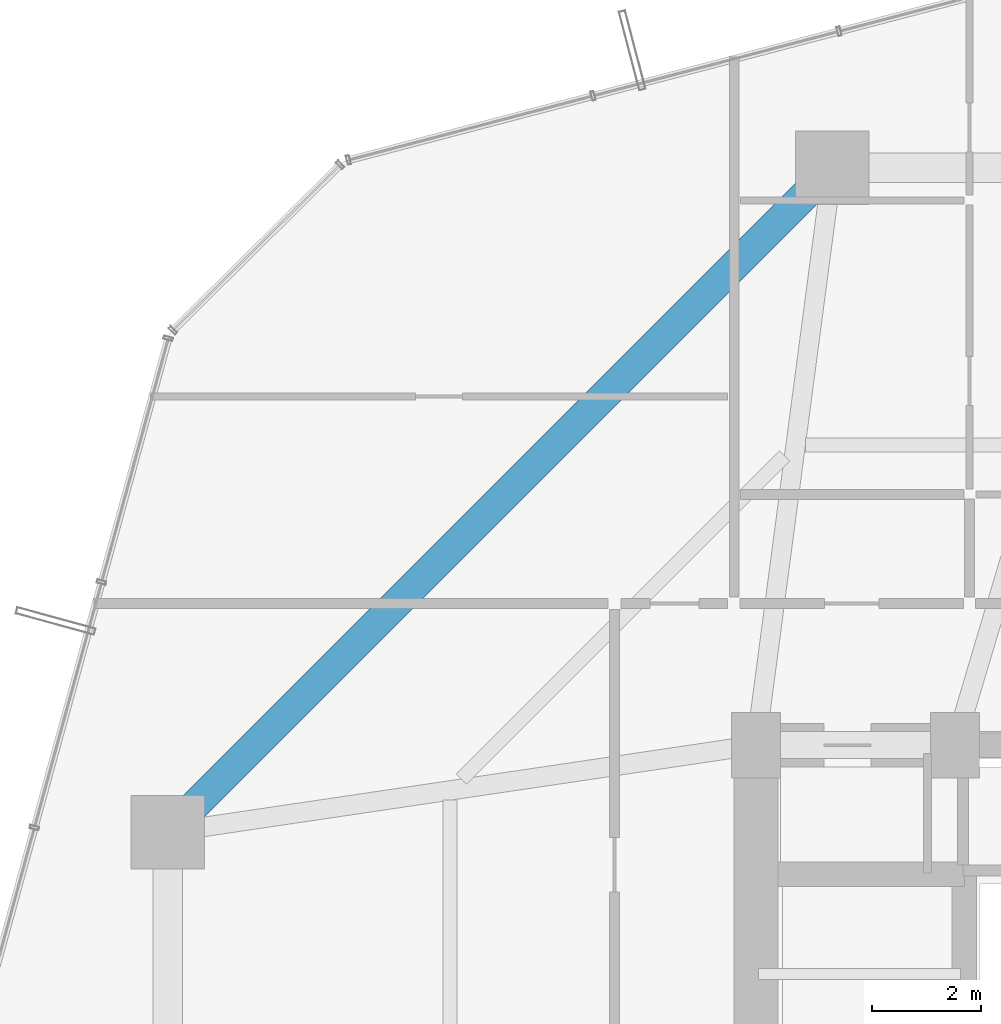
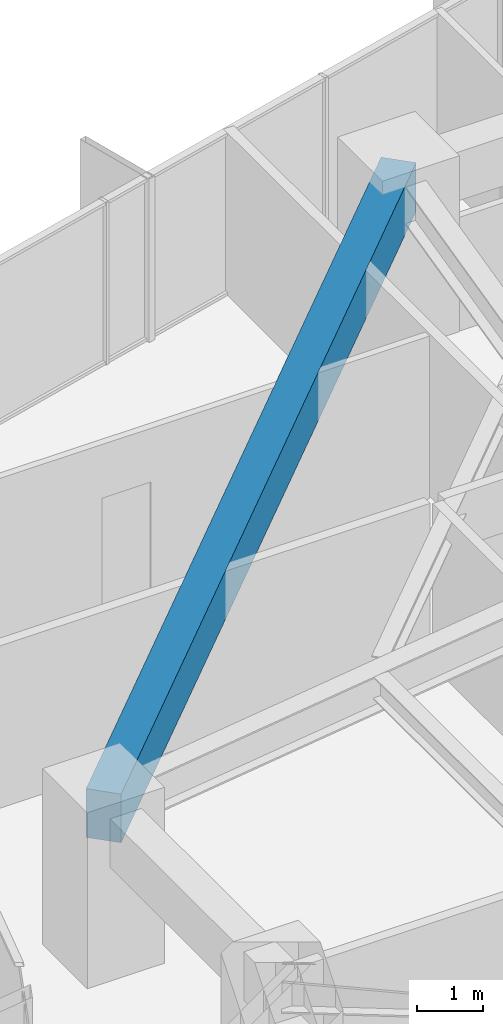
# One storey, part 23 of 39: 1 beam.
"""IFC4 building model written with IfcOpenShell, lengths in metres."""

import ifcopenshell
import ifcopenshell.guid

model = None  # the IFC model being written
_history = None  # IfcOwnerHistory: only IFC2X3 demands one
_inside = {}  # id of a spatial element -> (the spatial element, [elements in it])
_under = {}  # id of a project, library or spatial element -> (it, [spatial elements below it])
_declared = {}  # id of a project -> (the project, [libraries it declares])
_typed = {}  # id of a type object -> (the type object, [elements of that type])
_made_of = {}  # id of a material, layer set ... -> (it, [elements and type objects made of it])


def new_model(schema):
    """Start an empty IFC model of exactly this schema.

    Asked for "IFC4X3", IfcOpenShell would pick the latest addendum, in which some entities
    have other attributes; the version numbers below select the first issue.
    IFC2X3 requires an IfcOwnerHistory on every rooted entity: one is made here for all.
    """
    global model, _history
    if schema == "IFC4X3":
        model = ifcopenshell.file(schema_version=(4, 3, 0, 0))
    else:
        model = ifcopenshell.file(schema=schema)
    _inside.clear()
    _under.clear()
    _declared.clear()
    _typed.clear()
    _made_of.clear()
    _history = None
    if model.schema == "IFC2X3":
        org = make("IfcOrganization", Name="unknown")
        user = make(
            "IfcPersonAndOrganization",
            ThePerson=make("IfcPerson", FamilyName="unknown"),
            TheOrganization=org,
        )
        app = make(
            "IfcApplication",
            ApplicationDeveloper=org,
            Version="unknown",
            ApplicationFullName="unknown",
            ApplicationIdentifier="unknown",
        )
        _history = make(
            "IfcOwnerHistory",
            OwningUser=user,
            OwningApplication=app,
            ChangeAction="ADDED",
            CreationDate=0,
        )
    return model


def make(cls, **values):
    """One entity of the class cls with the attributes given. An attribute that is None is left unset."""
    return model.create_entity(
        cls, **{name: value for name, value in values.items() if value is not None}
    )


def rooted(cls, **values):
    """An entity with a GlobalId (a new one), such as an element, a storey or a relation."""
    return make(cls, GlobalId=ifcopenshell.guid.new(), OwnerHistory=_history, **values)


def si_unit(unit_type, name, prefix=None):
    """IfcSIUnit, for example si_unit("LENGTHUNIT", "METRE", prefix="MILLI")."""
    return make("IfcSIUnit", UnitType=unit_type, Prefix=prefix, Name=name)


def assignment(units):
    """IfcUnitAssignment: the units of a project."""
    return None if units is None else make("IfcUnitAssignment", Units=units)


def point(xyz):
    """IfcCartesianPoint."""
    return None if xyz is None else make("IfcCartesianPoint", Coordinates=xyz)


def direction(xyz):
    """IfcDirection."""
    return None if xyz is None else make("IfcDirection", DirectionRatios=xyz)


def frame(location, z_axis=None, x_axis=None):
    """IfcAxis2Placement3D, a coordinate frame: its origin and axes. An axis left out is left unset."""
    return make(
        "IfcAxis2Placement3D",
        Location=point(location),
        Axis=direction(z_axis),
        RefDirection=direction(x_axis),
    )


def frame_2d(location, x_axis=None):
    """IfcAxis2Placement2D, a coordinate frame in the plane: its origin and x axis."""
    return make(
        "IfcAxis2Placement2D", Location=point(location), RefDirection=direction(x_axis)
    )


def origin():
    """The frame at (0, 0, 0) with its axes left unset."""
    return frame((0.0, 0.0, 0.0))


def origin_2d():
    """The frame at (0, 0) in the plane with its x axis left unset."""
    return frame_2d((0.0, 0.0))


def place(relative_to, where):
    """IfcLocalPlacement: puts the frame where relative to a parent placement (None: the world)."""
    return make(
        "IfcLocalPlacement", PlacementRelTo=relative_to, RelativePlacement=where
    )


def context(
    kind, dimensions, precision=None, world=None, true_north=None, identifier=None
):
    """IfcGeometricRepresentationContext, for example the 3D "Model" context."""
    return make(
        "IfcGeometricRepresentationContext",
        ContextIdentifier=identifier,
        ContextType=kind,
        CoordinateSpaceDimension=dimensions,
        Precision=precision,
        WorldCoordinateSystem=world,
        TrueNorth=true_north,
    )


def subcontext(parent, identifier, kind, view, scale=None):
    """IfcGeometricRepresentationSubContext, for example "Body" below "Model"."""
    return make(
        "IfcGeometricRepresentationSubContext",
        ContextIdentifier=identifier,
        ContextType=kind,
        ParentContext=parent,
        TargetScale=scale,
        TargetView=view,
    )


def project(units=None, contexts=None):
    """IfcProject with its units and contexts."""
    return rooted(
        "IfcProject",
        Name="project",
        RepresentationContexts=contexts,
        UnitsInContext=assignment(units),
    )


def spatial(cls, under=None, at=None, **own):
    """A site, building, storey or space (cls), placed at a placement, below another one or the project."""
    s = rooted(cls, ObjectPlacement=at, **own)
    if under is not None:
        _under.setdefault(under.id(), (under, []))[1].append(s)
    return s


def profile(cls, at=None, kind="AREA", **sizes):
    """A parametric profile (cls). Its sizes go by their IFC names, for example OverallWidth=200.0."""
    return make(cls, ProfileType=kind, Position=at, **sizes)


def rectangle(**sizes):
    """IfcRectangleProfileDef."""
    return profile("IfcRectangleProfileDef", **sizes)


def extrude(swept, where, along, depth):
    """IfcExtrudedAreaSolid: the profile swept, set in the frame where, extruded along a direction by depth."""
    return make(
        "IfcExtrudedAreaSolid",
        SweptArea=swept,
        Position=where,
        ExtrudedDirection=direction(along),
        Depth=depth,
    )


def shape(context_of_items, identifier, shape_type, items):
    """IfcShapeRepresentation: the items that make up one representation, for example the "Body"."""
    return make(
        "IfcShapeRepresentation",
        ContextOfItems=context_of_items,
        RepresentationIdentifier=identifier,
        RepresentationType=shape_type,
        Items=items,
    )


def material(Name=None, Category=None):
    """IfcMaterial."""
    return make("IfcMaterial", Name=Name, Category=Category)


def material_profile(
    of_material, cross_section, Name=None, Category=None, Priority=None
):
    """IfcMaterialProfile: a cross section and its material."""
    return make(
        "IfcMaterialProfile",
        Name=Name,
        Material=of_material,
        Profile=cross_section,
        Priority=Priority,
        Category=Category,
    )


def profile_set(profiles, Name=None, composite=None):
    """IfcMaterialProfileSet."""
    return make(
        "IfcMaterialProfileSet",
        Name=Name,
        MaterialProfiles=profiles,
        CompositeProfile=composite,
    )


def made_of(thing, what):
    """Note that an element or type object is made of a material, layer set ...; save() writes the relation."""
    if what is not None:
        _made_of.setdefault(what.id(), (what, []))[1].append(thing)
    return thing


def type_object(cls, material=None, **own):
    """A type object (cls), such as IfcWallType, which elements share."""
    return made_of(rooted(cls, **own), material)


def element(
    cls,
    number,
    at=None,
    inside=None,
    cuts=None,
    type_object=None,
    material=None,
    context=None,
    identifier="Body",
    shape_type=None,
    held_by="IfcProductDefinitionShape",
    body=None,
    shapes=None,
    **own,
):
    """One element of the class cls, such as IfcWall. Its Tag is "e" and its number.

    at: its placement. inside: the storey or other place that contains it. cuts: it is an
    opening in that element (IfcRelVoidsElement). A single representation is given by context,
    identifier, shape_type and body (its items); several are given by shapes. held_by: the class
    of the entity that holds the representations. save() writes the other relations.
    """
    e = rooted(cls, Tag="e%d" % number, ObjectPlacement=at, **own)
    if body is not None:
        shapes = [shape(context, identifier, shape_type, body)]
    if shapes is not None:
        e.Representation = make(held_by, Representations=shapes)
    if inside is not None:
        _inside.setdefault(inside.id(), (inside, []))[1].append(e)
    if cuts is not None:
        rooted(
            "IfcRelVoidsElement", RelatingBuildingElement=cuts, RelatedOpeningElement=e
        )
    if type_object is not None:
        _typed.setdefault(type_object.id(), (type_object, []))[1].append(e)
    return made_of(e, material)


def aggregate(whole, parts):
    """IfcRelAggregates: a whole, such as a stair, and the parts it consists of."""
    return rooted("IfcRelAggregates", RelatingObject=whole, RelatedObjects=parts)


def save(model, path):
    """Write the relations noted so far, then the file.

    IfcRelAggregates (storeys below a building ...), IfcRelContainedInSpatialStructure (elements
    in a storey), IfcRelDefinesByType, IfcRelAssociatesMaterial and IfcRelDeclares: one each for
    every whole, place, type object, material and project.
    """
    for whole, parts in _under.values():
        aggregate(whole, parts)
    for where, things in _inside.values():
        rooted(
            "IfcRelContainedInSpatialStructure",
            RelatedElements=things,
            RelatingStructure=where,
        )
    for kind, things in _typed.values():
        rooted("IfcRelDefinesByType", RelatedObjects=things, RelatingType=kind)
    for what, things in _made_of.values():
        rooted("IfcRelAssociatesMaterial", RelatedObjects=things, RelatingMaterial=what)
    for by, libraries in _declared.values():
        rooted("IfcRelDeclares", RelatingContext=by, RelatedDefinitions=libraries)
    model.write(path)


model = new_model("IFC4")

# Units and contexts
model_context = context("Model", 3, precision=1e-05, world=origin(), true_north=direction((0.0, 1.0)))
body_context = subcontext(model_context, "Body", "Model", "MODEL_VIEW")
ifc_project = project(units=[si_unit("LENGTHUNIT", "METRE"), si_unit("AREAUNIT", "SQUARE_METRE"), si_unit("VOLUMEUNIT", "CUBIC_METRE"), si_unit("PLANEANGLEUNIT", "RADIAN"), si_unit("MASSUNIT", "GRAM", prefix="KILO")], contexts=[model_context])

# Site, building, storey
site_placement = place(None, origin())
site = spatial("IfcSite", under=ifc_project, at=site_placement, CompositionType="ELEMENT")
building_placement = place(site_placement, origin())
building = spatial("IfcBuilding", under=site, at=building_placement, Name="Veraguas Prism Commons", CompositionType="ELEMENT")
storey_placement = place(building_placement, frame((0.0, 0.0, 73.85009765625)))
storey = spatial("IfcBuildingStorey", under=building, at=storey_placement, Name="L20", CompositionType="ELEMENT", Elevation=73.85009765625)

# Beam
ifc_material = material(Name="Concrete C50/60", Category="concrete")
ifc_material_profile = material_profile(ifc_material, rectangle(XDim=0.550048828125, YDim=0.89990234375, at=origin_2d()), Name="RC550X900")
ifc_profile_set = profile_set([ifc_material_profile], Name="Concrete C50/60")
beam_type = type_object("IfcBeamType", Name="Perimeter Spandrel Lower RC 550x900", PredefinedType="SPANDREL", material=ifc_profile_set)
beam_placement = place(storey_placement, frame((18.60009765625, 41.60009765625, 2.5498046875), z_axis=(-0.707106781187, -0.707106781187, 0.0), x_axis=(0.707106781187, -0.707106781187, 0.0)))
element("IfcBeam", 1, at=beam_placement, inside=storey, type_object=beam_type, Name="Perimeter Spandrel Beam L20-SP06", PredefinedType="SPANDREL", context=body_context, shape_type="SweptSolid", body=[
    extrude(rectangle(XDim=0.550048828125, YDim=0.89990234375, at=origin_2d()), origin(), (0.0, 0.0, 1.0), 17.253662109375),
])

save(model, "model.ifc")
